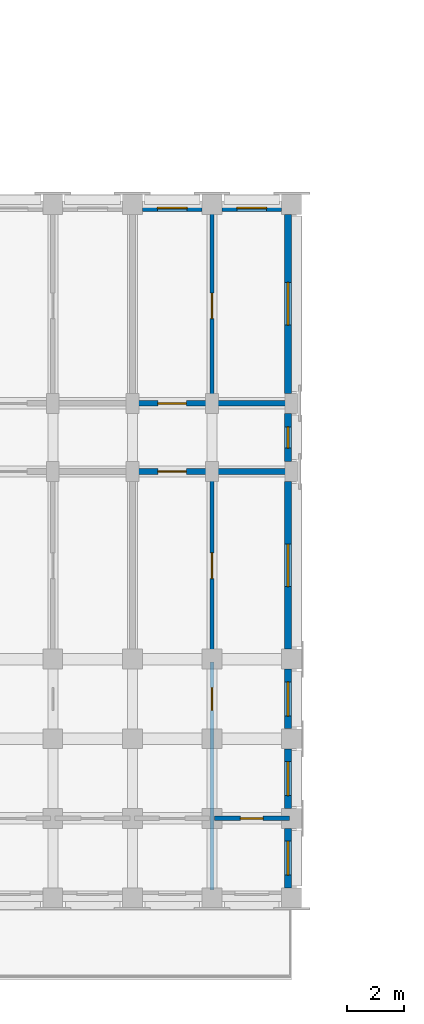
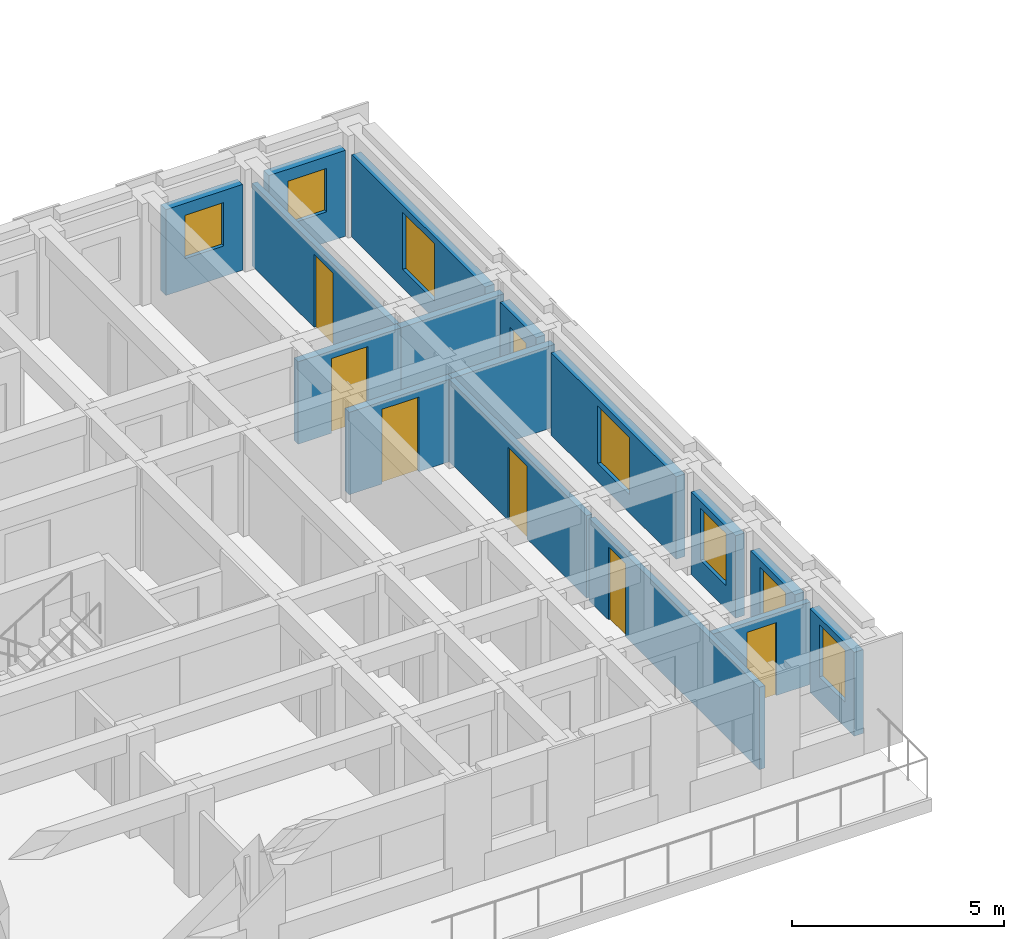
# One storey, part 23 of 57: 16 walls, 8 windows, 6 doors, 14 openings.
"""IFC4 building model written with IfcOpenShell, lengths in metres."""

import ifcopenshell
import ifcopenshell.guid

model = None  # the IFC model being written
_history = None  # IfcOwnerHistory: only IFC2X3 demands one
_inside = {}  # id of a spatial element -> (the spatial element, [elements in it])
_under = {}  # id of a project, library or spatial element -> (it, [spatial elements below it])
_declared = {}  # id of a project -> (the project, [libraries it declares])
_typed = {}  # id of a type object -> (the type object, [elements of that type])
_made_of = {}  # id of a material, layer set ... -> (it, [elements and type objects made of it])


def new_model(schema):
    """Start an empty IFC model of exactly this schema.

    Asked for "IFC4X3", IfcOpenShell would pick the latest addendum, in which some entities
    have other attributes; the version numbers below select the first issue.
    IFC2X3 requires an IfcOwnerHistory on every rooted entity: one is made here for all.
    """
    global model, _history
    if schema == "IFC4X3":
        model = ifcopenshell.file(schema_version=(4, 3, 0, 0))
    else:
        model = ifcopenshell.file(schema=schema)
    _inside.clear()
    _under.clear()
    _declared.clear()
    _typed.clear()
    _made_of.clear()
    _history = None
    if model.schema == "IFC2X3":
        org = make("IfcOrganization", Name="unknown")
        user = make(
            "IfcPersonAndOrganization",
            ThePerson=make("IfcPerson", FamilyName="unknown"),
            TheOrganization=org,
        )
        app = make(
            "IfcApplication",
            ApplicationDeveloper=org,
            Version="unknown",
            ApplicationFullName="unknown",
            ApplicationIdentifier="unknown",
        )
        _history = make(
            "IfcOwnerHistory",
            OwningUser=user,
            OwningApplication=app,
            ChangeAction="ADDED",
            CreationDate=0,
        )
    return model


def make(cls, **values):
    """One entity of the class cls with the attributes given. An attribute that is None is left unset."""
    return model.create_entity(
        cls, **{name: value for name, value in values.items() if value is not None}
    )


def rooted(cls, **values):
    """An entity with a GlobalId (a new one), such as an element, a storey or a relation."""
    return make(cls, GlobalId=ifcopenshell.guid.new(), OwnerHistory=_history, **values)


def si_unit(unit_type, name, prefix=None):
    """IfcSIUnit, for example si_unit("LENGTHUNIT", "METRE", prefix="MILLI")."""
    return make("IfcSIUnit", UnitType=unit_type, Prefix=prefix, Name=name)


def assignment(units):
    """IfcUnitAssignment: the units of a project."""
    return None if units is None else make("IfcUnitAssignment", Units=units)


def point(xyz):
    """IfcCartesianPoint."""
    return None if xyz is None else make("IfcCartesianPoint", Coordinates=xyz)


def direction(xyz):
    """IfcDirection."""
    return None if xyz is None else make("IfcDirection", DirectionRatios=xyz)


def frame(location, z_axis=None, x_axis=None):
    """IfcAxis2Placement3D, a coordinate frame: its origin and axes. An axis left out is left unset."""
    return make(
        "IfcAxis2Placement3D",
        Location=point(location),
        Axis=direction(z_axis),
        RefDirection=direction(x_axis),
    )


def frame_2d(location, x_axis=None):
    """IfcAxis2Placement2D, a coordinate frame in the plane: its origin and x axis."""
    return make(
        "IfcAxis2Placement2D", Location=point(location), RefDirection=direction(x_axis)
    )


def origin():
    """The frame at (0, 0, 0) with its axes left unset."""
    return frame((0.0, 0.0, 0.0))


def place(relative_to, where):
    """IfcLocalPlacement: puts the frame where relative to a parent placement (None: the world)."""
    return make(
        "IfcLocalPlacement", PlacementRelTo=relative_to, RelativePlacement=where
    )


def context(
    kind, dimensions, precision=None, world=None, true_north=None, identifier=None
):
    """IfcGeometricRepresentationContext, for example the 3D "Model" context."""
    return make(
        "IfcGeometricRepresentationContext",
        ContextIdentifier=identifier,
        ContextType=kind,
        CoordinateSpaceDimension=dimensions,
        Precision=precision,
        WorldCoordinateSystem=world,
        TrueNorth=true_north,
    )


def subcontext(parent, identifier, kind, view, scale=None):
    """IfcGeometricRepresentationSubContext, for example "Body" below "Model"."""
    return make(
        "IfcGeometricRepresentationSubContext",
        ContextIdentifier=identifier,
        ContextType=kind,
        ParentContext=parent,
        TargetScale=scale,
        TargetView=view,
    )


def project(units=None, contexts=None):
    """IfcProject with its units and contexts."""
    return rooted(
        "IfcProject",
        Name="project",
        RepresentationContexts=contexts,
        UnitsInContext=assignment(units),
    )


def spatial(cls, under=None, at=None, **own):
    """A site, building, storey or space (cls), placed at a placement, below another one or the project."""
    s = rooted(cls, ObjectPlacement=at, **own)
    if under is not None:
        _under.setdefault(under.id(), (under, []))[1].append(s)
    return s


def profile(cls, at=None, kind="AREA", **sizes):
    """A parametric profile (cls). Its sizes go by their IFC names, for example OverallWidth=200.0."""
    return make(cls, ProfileType=kind, Position=at, **sizes)


def rectangle(**sizes):
    """IfcRectangleProfileDef."""
    return profile("IfcRectangleProfileDef", **sizes)


def extrude(swept, where, along, depth):
    """IfcExtrudedAreaSolid: the profile swept, set in the frame where, extruded along a direction by depth."""
    return make(
        "IfcExtrudedAreaSolid",
        SweptArea=swept,
        Position=where,
        ExtrudedDirection=direction(along),
        Depth=depth,
    )


def shape(context_of_items, identifier, shape_type, items):
    """IfcShapeRepresentation: the items that make up one representation, for example the "Body"."""
    return make(
        "IfcShapeRepresentation",
        ContextOfItems=context_of_items,
        RepresentationIdentifier=identifier,
        RepresentationType=shape_type,
        Items=items,
    )


def material(Name=None, Category=None):
    """IfcMaterial."""
    return make("IfcMaterial", Name=Name, Category=Category)


def layer(
    of_material, thickness, ventilated=None, Name=None, Category=None, Priority=None
):
    """IfcMaterialLayer: one layer of a wall or slab, of a material (None: an air gap)."""
    return make(
        "IfcMaterialLayer",
        Material=of_material,
        LayerThickness=thickness,
        IsVentilated=ventilated,
        Name=Name,
        Category=Category,
        Priority=Priority,
    )


def layer_set(layers, Name=None):
    """IfcMaterialLayerSet."""
    return make("IfcMaterialLayerSet", MaterialLayers=layers, LayerSetName=Name)


def made_of(thing, what):
    """Note that an element or type object is made of a material, layer set ...; save() writes the relation."""
    if what is not None:
        _made_of.setdefault(what.id(), (what, []))[1].append(thing)
    return thing


def type_object(cls, material=None, **own):
    """A type object (cls), such as IfcWallType, which elements share."""
    return made_of(rooted(cls, **own), material)


def element(
    cls,
    number,
    at=None,
    inside=None,
    cuts=None,
    type_object=None,
    material=None,
    context=None,
    identifier="Body",
    shape_type=None,
    held_by="IfcProductDefinitionShape",
    body=None,
    shapes=None,
    **own,
):
    """One element of the class cls, such as IfcWall. Its Tag is "e" and its number.

    at: its placement. inside: the storey or other place that contains it. cuts: it is an
    opening in that element (IfcRelVoidsElement). A single representation is given by context,
    identifier, shape_type and body (its items); several are given by shapes. held_by: the class
    of the entity that holds the representations. save() writes the other relations.
    """
    e = rooted(cls, Tag="e%d" % number, ObjectPlacement=at, **own)
    if body is not None:
        shapes = [shape(context, identifier, shape_type, body)]
    if shapes is not None:
        e.Representation = make(held_by, Representations=shapes)
    if inside is not None:
        _inside.setdefault(inside.id(), (inside, []))[1].append(e)
    if cuts is not None:
        rooted(
            "IfcRelVoidsElement", RelatingBuildingElement=cuts, RelatedOpeningElement=e
        )
    if type_object is not None:
        _typed.setdefault(type_object.id(), (type_object, []))[1].append(e)
    return made_of(e, material)


def fill(opening, filler):
    """IfcRelFillsElement: the door or window that sits in an opening."""
    return rooted(
        "IfcRelFillsElement",
        RelatingOpeningElement=opening,
        RelatedBuildingElement=filler,
    )


def aggregate(whole, parts):
    """IfcRelAggregates: a whole, such as a stair, and the parts it consists of."""
    return rooted("IfcRelAggregates", RelatingObject=whole, RelatedObjects=parts)


def save(model, path):
    """Write the relations noted so far, then the file.

    IfcRelAggregates (storeys below a building ...), IfcRelContainedInSpatialStructure (elements
    in a storey), IfcRelDefinesByType, IfcRelAssociatesMaterial and IfcRelDeclares: one each for
    every whole, place, type object, material and project.
    """
    for whole, parts in _under.values():
        aggregate(whole, parts)
    for where, things in _inside.values():
        rooted(
            "IfcRelContainedInSpatialStructure",
            RelatedElements=things,
            RelatingStructure=where,
        )
    for kind, things in _typed.values():
        rooted("IfcRelDefinesByType", RelatedObjects=things, RelatingType=kind)
    for what, things in _made_of.values():
        rooted("IfcRelAssociatesMaterial", RelatedObjects=things, RelatingMaterial=what)
    for by, libraries in _declared.values():
        rooted("IfcRelDeclares", RelatingContext=by, RelatedDefinitions=libraries)
    model.write(path)


model = new_model("IFC4")

# Units and contexts
model_context = context("Model", 3, precision=1e-05, world=origin(), true_north=direction((0.0, 1.0)))
body_context = subcontext(model_context, "Body", "Model", "MODEL_VIEW")
ifc_project = project(units=[si_unit("LENGTHUNIT", "METRE"), si_unit("AREAUNIT", "SQUARE_METRE"), si_unit("VOLUMEUNIT", "CUBIC_METRE"), si_unit("PLANEANGLEUNIT", "RADIAN"), si_unit("MASSUNIT", "GRAM", prefix="KILO")], contexts=[model_context])

# Site, building, storey
site_placement = place(None, origin())
site = spatial("IfcSite", under=ifc_project, at=site_placement, CompositionType="ELEMENT")
building_placement = place(site_placement, origin())
building = spatial("IfcBuilding", under=site, at=building_placement, Name="Kiranvali Square Residences", CompositionType="ELEMENT")
storey_placement = place(building_placement, frame((0.0, 0.0, 21.300048828125)))
storey = spatial("IfcBuildingStorey", under=building, at=storey_placement, Name="L06", CompositionType="ELEMENT", Elevation=21.300048828125)

# Wall, opening, door
ifc_material_1 = material(Name="Autoclaved aerated concrete blockwork masonry", Category="masonry")
ifc_layer_1 = layer(ifc_material_1, 0.199951171875)
ifc_layer_set_1 = layer_set([ifc_layer_1], Name="Autoclaved aerated concrete blockwork masonry")
wall_type_1 = type_object("IfcWallType", Name="WL-COR-200", PredefinedType="STANDARD", material=ifc_layer_set_1)
wall_1_placement = place(storey_placement, frame((65.0, 22.39990234375, 0.0), z_axis=(0.0, 0.0, 1.0), x_axis=(1.0, 0.0, 0.0)))
wall_1 = element("IfcWall", 1, at=wall_1_placement, inside=storey, type_object=wall_type_1, Name="L06 architectural wall WL-L06-C-A1CI-2", PredefinedType="STANDARD", context=body_context, shape_type="SweptSolid", body=[
    extrude(rectangle(XDim=2.800048828125, YDim=0.199951171875, at=frame_2d((1.39990234375, 0.0))), origin(), (0.0, 0.0, 1.0), 2.3720703125),
])
opening_1_placement = place(wall_1_placement, frame((0.89990234375, 0.0, 0.0)))
opening_1 = element("IfcOpeningElement", 2, at=opening_1_placement, cuts=wall_1, Name="Opening FD-APT-60", PredefinedType="OPENING", context=body_context, shape_type="SweptSolid", body=[
    extrude(rectangle(XDim=1.0, YDim=2.14990234375, at=frame_2d((0.5, 1.074951171875))), frame((0.0, 0.10986328125, 0.0), z_axis=(0.0, -1.0, 0.0), x_axis=(1.0, 0.0, 0.0)), (0.0, 0.0, 1.0), 0.219970703125),
])
ifc_material_2 = material(Name="Fire-rated acoustic hardwood and mineral-core door assembly", Category="wood")
door_type_1 = type_object("IfcDoorType", Name="DR-APT-1000", OperationType="NOTDEFINED", PredefinedType="DOOR", material=ifc_material_2)
door_1_placement = place(opening_1_placement, frame((1.0, 0.0, 0.0), z_axis=(0.0, 0.0, 1.0), x_axis=(-1.0, 0.0, 0.0)))
door_1 = element("IfcDoor", 3, at=door_1_placement, inside=storey, type_object=door_type_1, Name="L06 door DR-L06-2100 (DR-APT-1000)", OperationType="SINGLE_SWING_RIGHT", OverallHeight=2.14990234375, OverallWidth=1.0, PredefinedType="DOOR", context=body_context, shape_type="SweptSolid", body=[
    extrude(rectangle(XDim=1.0, YDim=2.14990234375, at=frame_2d((0.5, 1.074951171875))), frame((0.0, 0.02490234375, 0.0), z_axis=(0.0, -1.0, 0.0), x_axis=(1.0, 0.0, 0.0)), (0.0, 0.0, 1.0), 0.050048828125),
])
fill(opening_1, door_1)

wall_2_placement = place(storey_placement, frame((65.0, 20.0, 0.0), z_axis=(0.0, 0.0, 1.0), x_axis=(1.0, 0.0, 0.0)))
wall_2 = element("IfcWall", 4, at=wall_2_placement, inside=storey, type_object=wall_type_1, Name="L06 architectural wall WL-L06-C-A1CO-2", PredefinedType="STANDARD", context=body_context, shape_type="SweptSolid", body=[
    extrude(rectangle(XDim=2.800048828125, YDim=0.199951171875, at=frame_2d((1.39990234375, 0.0))), origin(), (0.0, 0.0, 1.0), 2.3720703125),
])
opening_2_placement = place(wall_2_placement, frame((0.89990234375, 0.0, 0.0)))
opening_2 = element("IfcOpeningElement", 5, at=opening_2_placement, cuts=wall_2, Name="Opening FD-APT-60", PredefinedType="OPENING", context=body_context, shape_type="SweptSolid", body=[
    extrude(rectangle(XDim=1.0, YDim=2.14990234375, at=frame_2d((0.5, 1.074951171875))), frame((0.0, 0.10986328125, 0.0), z_axis=(0.0, -1.0, 0.0), x_axis=(1.0, 0.0, 0.0)), (0.0, 0.0, 1.0), 0.219970703125),
])
door_2_placement = place(opening_2_placement, frame((1.0, 0.0, 0.0), z_axis=(0.0, 0.0, 1.0), x_axis=(-1.0, 0.0, 0.0)))
door_2 = element("IfcDoor", 6, at=door_2_placement, inside=storey, type_object=door_type_1, Name="L06 door DR-L06-2102 (DR-APT-1000)", OperationType="SINGLE_SWING_RIGHT", OverallHeight=2.14990234375, OverallWidth=1.0, PredefinedType="DOOR", context=body_context, shape_type="SweptSolid", body=[
    extrude(rectangle(XDim=1.0, YDim=2.14990234375, at=frame_2d((0.5, 1.074951171875))), frame((0.0, 0.02490234375, 0.0), z_axis=(0.0, -1.0, 0.0), x_axis=(1.0, 0.0, 0.0)), (0.0, 0.0, 1.0), 0.050048828125),
])
fill(opening_2, door_2)

# Walls
for number, where, z_axis, x_axis, name in (
    (7, (67.800048828125, 22.39990234375, 0.0), (0.0, 0.0, 1.0), (1.0, 0.0, 0.0), "L06 architectural wall WL-L06-C-A1CI-3"),
    (8, (67.800048828125, 20.0, 0.0), (0.0, 0.0, 1.0), (1.0, 0.0, 0.0), "L06 architectural wall WL-L06-C-A1CO-3"),
):
    element("IfcWall", number, at=place(storey_placement, frame(where, z_axis=z_axis, x_axis=x_axis)), inside=storey, type_object=wall_type_1, Name=name, PredefinedType="STANDARD", context=body_context, shape_type="SweptSolid", body=[
        extrude(rectangle(XDim=2.800048828125, YDim=0.199951171875, at=frame_2d((1.39990234375, 0.0))), origin(), (0.0, 0.0, 1.0), 2.3720703125),
    ])

# Wall, opening, window
ifc_material_3 = material(Name="Breathable lime-rendered clay brick masonry", Category="masonry")
ifc_layer_2 = layer(ifc_material_3, 0.25)
ifc_layer_set_2 = layer_set([ifc_layer_2], Name="Breathable lime-rendered clay brick masonry")
wall_type_2 = type_object("IfcWallType", Name="WL-EXT-250", PredefinedType="STANDARD", material=ifc_layer_set_2)
wall_3_placement = place(storey_placement, frame((65.353515625, 29.27490234375, 0.0), z_axis=(0.0, 0.0, 1.0), x_axis=(1.0, 0.0, 0.0)))
wall_3 = element("IfcWall", 9, at=wall_3_placement, inside=storey, type_object=wall_type_2, Name="L06 exterior wall C-L06-A1I-2", PredefinedType="STANDARD", context=body_context, shape_type="SweptSolid", body=[
    extrude(rectangle(XDim=2.093017578125, YDim=0.25, at=frame_2d((1.04638671875, 0.0))), origin(), (0.0, 0.0, 1.0), 2.471923828125),
])
opening_3_placement = place(wall_3_placement, frame((0.521484375, 0.0, 0.8798828125)))
opening_3 = element("IfcOpeningElement", 10, at=opening_3_placement, cuts=wall_3, Name="Opening W-24", PredefinedType="OPENING", context=body_context, shape_type="SweptSolid", body=[
    extrude(rectangle(XDim=1.050048828125, YDim=1.25, at=frame_2d((0.52490234375, 0.625))), frame((0.0, 0.135009765625, 0.0), z_axis=(0.0, -1.0, 0.0), x_axis=(1.0, 0.0, 0.0)), (0.0, 0.0, 1.0), 0.27001953125),
])
ifc_material_4 = material(Name="Solar-control low-e double glazing", Category="glass")
window_type_1 = type_object("IfcWindowType", Name="WIN-COR-1050x1250", PartitioningType="SINGLE_PANEL", PredefinedType="WINDOW", material=ifc_material_4)
window_1_placement = place(opening_3_placement, origin())
window_1 = element("IfcWindow", 11, at=window_1_placement, inside=storey, type_object=window_type_1, Name="L06 recessed window C-L06-A1I-2", OverallHeight=1.25, OverallWidth=1.050048828125, PartitioningType="SINGLE_PANEL", PredefinedType="WINDOW", context=body_context, shape_type="SweptSolid", body=[
    extrude(rectangle(XDim=1.050048828125, YDim=1.25, at=frame_2d((0.52490234375, 0.625))), frame((0.0, 0.030029296875, 0.0), z_axis=(0.0, -1.0, 0.0), x_axis=(1.0, 0.0, 0.0)), (0.0, 0.0, 1.0), 0.06005859375),
])
fill(opening_3, window_1)

wall_4_placement = place(storey_placement, frame((68.153564453125, 29.27490234375, 0.0), z_axis=(0.0, 0.0, 1.0), x_axis=(1.0, 0.0, 0.0)))
wall_4 = element("IfcWall", 12, at=wall_4_placement, inside=storey, type_object=wall_type_2, Name="L06 exterior wall C-L06-A1I-3", PredefinedType="STANDARD", context=body_context, shape_type="SweptSolid", body=[
    extrude(rectangle(XDim=2.093017578125, YDim=0.25, at=frame_2d((1.04638671875, 0.0))), origin(), (0.0, 0.0, 1.0), 2.471923828125),
])
opening_4_placement = place(wall_4_placement, frame((0.521484375, 0.0, 0.8798828125)))
opening_4 = element("IfcOpeningElement", 13, at=opening_4_placement, cuts=wall_4, Name="Opening W-24", PredefinedType="OPENING", context=body_context, shape_type="SweptSolid", body=[
    extrude(rectangle(XDim=1.050048828125, YDim=1.25, at=frame_2d((0.52490234375, 0.625))), frame((0.0, 0.135009765625, 0.0), z_axis=(0.0, -1.0, 0.0), x_axis=(1.0, 0.0, 0.0)), (0.0, 0.0, 1.0), 0.27001953125),
])
window_2_placement = place(opening_4_placement, origin())
window_2 = element("IfcWindow", 14, at=window_2_placement, inside=storey, type_object=window_type_1, Name="L06 recessed window C-L06-A1I-3", OverallHeight=1.25, OverallWidth=1.050048828125, PartitioningType="SINGLE_PANEL", PredefinedType="WINDOW", context=body_context, shape_type="SweptSolid", body=[
    extrude(rectangle(XDim=1.050048828125, YDim=1.25, at=frame_2d((0.52490234375, 0.625))), frame((0.0, 0.030029296875, 0.0), z_axis=(0.0, -1.0, 0.0), x_axis=(1.0, 0.0, 0.0)), (0.0, 0.0, 1.0), 0.06005859375),
])
fill(opening_4, window_2)

wall_5_placement = place(storey_placement, frame((70.47509765625, 29.04638671875, 0.0), z_axis=(0.0, 0.0, 1.0), x_axis=(0.0, -1.0, 0.0)))
wall_5 = element("IfcWall", 15, at=wall_5_placement, inside=storey, type_object=wall_type_2, Name="L06 exterior wall C-L06-A1END-0", PredefinedType="STANDARD", context=body_context, shape_type="SweptSolid", body=[
    extrude(rectangle(XDim=6.29296875, YDim=0.25, at=frame_2d((3.146484375, 0.0))), origin(), (0.0, 0.0, 1.0), 2.3720703125),
])
opening_5_placement = place(wall_5_placement, frame((2.396484375, 0.0, 0.52197265625)))
opening_5 = element("IfcOpeningElement", 16, at=opening_5_placement, cuts=wall_5, Name="Opening W-05", PredefinedType="OPENING", context=body_context, shape_type="SweptSolid", body=[
    extrude(rectangle(XDim=1.5, YDim=1.64990234375, at=frame_2d((0.75, 0.824951171875))), frame((0.0, 0.135009765625, 0.0), z_axis=(0.0, -1.0, 0.0), x_axis=(1.0, 0.0, 0.0)), (0.0, 0.0, 1.0), 0.27001953125),
])
window_type_2 = type_object("IfcWindowType", Name="WIN-RES-1500x1650", PartitioningType="DOUBLE_PANEL_VERTICAL", PredefinedType="WINDOW", material=ifc_material_4)
window_3_placement = place(opening_5_placement, origin())
window_3 = element("IfcWindow", 17, at=window_3_placement, inside=storey, type_object=window_type_2, Name="L06 recessed window C-L06-A1END-0", OverallHeight=1.64990234375, OverallWidth=1.5, PartitioningType="DOUBLE_PANEL_VERTICAL", PredefinedType="WINDOW", context=body_context, shape_type="SweptSolid", body=[
    extrude(rectangle(XDim=1.5, YDim=1.64990234375, at=frame_2d((0.75, 0.824951171875))), frame((0.0, 0.030029296875, 0.0), z_axis=(0.0, -1.0, 0.0), x_axis=(1.0, 0.0, 0.0)), (0.0, 0.0, 1.0), 0.06005859375),
])
fill(opening_5, window_3)

wall_6_placement = place(storey_placement, frame((70.47509765625, 22.04638671875, 0.0), z_axis=(0.0, 0.0, 1.0), x_axis=(0.0, -1.0, 0.0)))
wall_6 = element("IfcWall", 18, at=wall_6_placement, inside=storey, type_object=wall_type_2, Name="L06 exterior wall C-L06-A1END-1", PredefinedType="STANDARD", context=body_context, shape_type="SweptSolid", body=[
    extrude(rectangle(XDim=1.69287109375, YDim=0.25, at=frame_2d((0.846435546875, 0.0))), origin(), (0.0, 0.0, 1.0), 2.3720703125),
])
opening_6_placement = place(wall_6_placement, frame((0.471435546875, 0.0, 0.8798828125)))
opening_6 = element("IfcOpeningElement", 19, at=opening_6_placement, cuts=wall_6, Name="Opening W-07", PredefinedType="OPENING", context=body_context, shape_type="SweptSolid", body=[
    extrude(rectangle(XDim=0.75, YDim=1.050048828125, at=frame_2d((0.375, 0.52490234375))), frame((0.0, 0.135009765625, 0.0), z_axis=(0.0, -1.0, 0.0), x_axis=(1.0, 0.0, 0.0)), (0.0, 0.0, 1.0), 0.27001953125),
])
window_type_3 = type_object("IfcWindowType", Name="WIN-WET-750x1050", PartitioningType="SINGLE_PANEL", PredefinedType="WINDOW", material=ifc_material_4)
window_4_placement = place(opening_6_placement, origin())
window_4 = element("IfcWindow", 20, at=window_4_placement, inside=storey, type_object=window_type_3, Name="L06 recessed window C-L06-A1END-1", OverallHeight=1.050048828125, OverallWidth=0.75, PartitioningType="SINGLE_PANEL", PredefinedType="WINDOW", context=body_context, shape_type="SweptSolid", body=[
    extrude(rectangle(XDim=0.75, YDim=1.050048828125, at=frame_2d((0.375, 0.52490234375))), frame((0.0, 0.030029296875, 0.0), z_axis=(0.0, -1.0, 0.0), x_axis=(1.0, 0.0, 0.0)), (0.0, 0.0, 1.0), 0.06005859375),
])
fill(opening_6, window_4)

wall_7_placement = place(storey_placement, frame((70.47509765625, 19.646484375, 0.0), z_axis=(0.0, 0.0, 1.0), x_axis=(0.0, -1.0, 0.0)))
wall_7 = element("IfcWall", 21, at=wall_7_placement, inside=storey, type_object=wall_type_2, Name="L06 exterior wall C-L06-A1END-2", PredefinedType="STANDARD", context=body_context, shape_type="SweptSolid", body=[
    extrude(rectangle(XDim=5.89306640625, YDim=0.25, at=frame_2d((2.946533203125, 0.0))), origin(), (0.0, 0.0, 1.0), 2.3720703125),
])
opening_7_placement = place(wall_7_placement, frame((2.196533203125, 0.0, 0.52197265625)))
opening_7 = element("IfcOpeningElement", 22, at=opening_7_placement, cuts=wall_7, Name="Opening W-05", PredefinedType="OPENING", context=body_context, shape_type="SweptSolid", body=[
    extrude(rectangle(XDim=1.5, YDim=1.64990234375, at=frame_2d((0.75, 0.824951171875))), frame((0.0, 0.135009765625, 0.0), z_axis=(0.0, -1.0, 0.0), x_axis=(1.0, 0.0, 0.0)), (0.0, 0.0, 1.0), 0.27001953125),
])
window_5_placement = place(opening_7_placement, origin())
window_5 = element("IfcWindow", 23, at=window_5_placement, inside=storey, type_object=window_type_2, Name="L06 recessed window C-L06-A1END-2", OverallHeight=1.64990234375, OverallWidth=1.5, PartitioningType="DOUBLE_PANEL_VERTICAL", PredefinedType="WINDOW", context=body_context, shape_type="SweptSolid", body=[
    extrude(rectangle(XDim=1.5, YDim=1.64990234375, at=frame_2d((0.75, 0.824951171875))), frame((0.0, 0.030029296875, 0.0), z_axis=(0.0, -1.0, 0.0), x_axis=(1.0, 0.0, 0.0)), (0.0, 0.0, 1.0), 0.06005859375),
])
fill(opening_7, window_5)

wall_8_placement = place(storey_placement, frame((70.47509765625, 13.04638671875, 0.0), z_axis=(0.0, 0.0, 1.0), x_axis=(0.0, -1.0, 0.0)))
wall_8 = element("IfcWall", 24, at=wall_8_placement, inside=storey, type_object=wall_type_2, Name="L06 exterior wall C-L06-A1END-3", PredefinedType="STANDARD", context=body_context, shape_type="SweptSolid", body=[
    extrude(rectangle(XDim=2.0927734375, YDim=0.25, at=frame_2d((1.04638671875, 0.0))), origin(), (0.0, 0.0, 1.0), 2.3720703125),
])
opening_8_placement = place(wall_8_placement, frame((0.446533203125, 0.0, 0.672119140625)))
opening_8 = element("IfcOpeningElement", 25, at=opening_8_placement, cuts=wall_8, Name="Opening W-06", PredefinedType="OPENING", context=body_context, shape_type="SweptSolid", body=[
    extrude(rectangle(XDim=1.199951171875, YDim=1.5, at=frame_2d((0.60009765625, 0.75))), frame((0.0, 0.135009765625, 0.0), z_axis=(0.0, -1.0, 0.0), x_axis=(1.0, 0.0, 0.0)), (0.0, 0.0, 1.0), 0.27001953125),
])
window_type_4 = type_object("IfcWindowType", Name="WIN-RES-1200x1500", PartitioningType="SINGLE_PANEL", PredefinedType="WINDOW", material=ifc_material_4)
window_6_placement = place(opening_8_placement, origin())
window_6 = element("IfcWindow", 26, at=window_6_placement, inside=storey, type_object=window_type_4, Name="L06 recessed window C-L06-A1END-3", OverallHeight=1.5, OverallWidth=1.199951171875, PartitioningType="SINGLE_PANEL", PredefinedType="WINDOW", context=body_context, shape_type="SweptSolid", body=[
    extrude(rectangle(XDim=1.199951171875, YDim=1.5, at=frame_2d((0.60009765625, 0.75))), frame((0.0, 0.030029296875, 0.0), z_axis=(0.0, -1.0, 0.0), x_axis=(1.0, 0.0, 0.0)), (0.0, 0.0, 1.0), 0.06005859375),
])
fill(opening_8, window_6)

wall_9_placement = place(storey_placement, frame((70.47509765625, 10.24658203125, 0.0), z_axis=(0.0, 0.0, 1.0), x_axis=(0.0, -1.0, 0.0)))
wall_9 = element("IfcWall", 27, at=wall_9_placement, inside=storey, type_object=wall_type_2, Name="L06 exterior wall C-L06-A1END-4", PredefinedType="STANDARD", context=body_context, shape_type="SweptSolid", body=[
    extrude(rectangle(XDim=2.093017578125, YDim=0.25, at=frame_2d((1.04638671875, 0.0))), origin(), (0.0, 0.0, 1.0), 2.3720703125),
])
opening_9_placement = place(wall_9_placement, frame((0.446533203125, 0.0, 0.672119140625)))
opening_9 = element("IfcOpeningElement", 28, at=opening_9_placement, cuts=wall_9, Name="Opening W-06", PredefinedType="OPENING", context=body_context, shape_type="SweptSolid", body=[
    extrude(rectangle(XDim=1.199951171875, YDim=1.5, at=frame_2d((0.60009765625, 0.75))), frame((0.0, 0.135009765625, 0.0), z_axis=(0.0, -1.0, 0.0), x_axis=(1.0, 0.0, 0.0)), (0.0, 0.0, 1.0), 0.27001953125),
])
window_7_placement = place(opening_9_placement, origin())
window_7 = element("IfcWindow", 29, at=window_7_placement, inside=storey, type_object=window_type_4, Name="L06 recessed window C-L06-A1END-4", OverallHeight=1.5, OverallWidth=1.199951171875, PartitioningType="SINGLE_PANEL", PredefinedType="WINDOW", context=body_context, shape_type="SweptSolid", body=[
    extrude(rectangle(XDim=1.199951171875, YDim=1.5, at=frame_2d((0.60009765625, 0.75))), frame((0.0, 0.030029296875, 0.0), z_axis=(0.0, -1.0, 0.0), x_axis=(1.0, 0.0, 0.0)), (0.0, 0.0, 1.0), 0.06005859375),
])
fill(opening_9, window_7)

wall_10_placement = place(storey_placement, frame((70.47509765625, 7.446533203125, 0.0), z_axis=(0.0, 0.0, 1.0), x_axis=(0.0, -1.0, 0.0)))
wall_10 = element("IfcWall", 30, at=wall_10_placement, inside=storey, type_object=wall_type_2, Name="L06 exterior wall C-L06-A1END-5", PredefinedType="STANDARD", context=body_context, shape_type="SweptSolid", body=[
    extrude(rectangle(XDim=2.093017578125, YDim=0.25, at=frame_2d((1.04638671875, 0.0))), origin(), (0.0, 0.0, 1.0), 2.411865234375),
])
opening_10_placement = place(wall_10_placement, frame((0.446533203125, 0.0, 0.7119140625)))
opening_10 = element("IfcOpeningElement", 31, at=opening_10_placement, cuts=wall_10, Name="Opening W-06", PredefinedType="OPENING", context=body_context, shape_type="SweptSolid", body=[
    extrude(rectangle(XDim=1.199951171875, YDim=1.5, at=frame_2d((0.60009765625, 0.75))), frame((0.0, 0.135009765625, 0.0), z_axis=(0.0, -1.0, 0.0), x_axis=(1.0, 0.0, 0.0)), (0.0, 0.0, 1.0), 0.27001953125),
])
window_8_placement = place(opening_10_placement, origin())
window_8 = element("IfcWindow", 32, at=window_8_placement, inside=storey, type_object=window_type_4, Name="L06 recessed window C-L06-A1END-5", OverallHeight=1.5, OverallWidth=1.199951171875, PartitioningType="SINGLE_PANEL", PredefinedType="WINDOW", context=body_context, shape_type="SweptSolid", body=[
    extrude(rectangle(XDim=1.199951171875, YDim=1.5, at=frame_2d((0.60009765625, 0.75))), frame((0.0, 0.030029296875, 0.0), z_axis=(0.0, -1.0, 0.0), x_axis=(1.0, 0.0, 0.0)), (0.0, 0.0, 1.0), 0.06005859375),
])
fill(opening_10, window_8)

# Wall, opening, door
ifc_material_5 = material(Name="Acoustic gypsum board drylined partition", Category="gypsum")
ifc_layer_3 = layer(ifc_material_5, 0.14990234375)
ifc_layer_set_3 = layer_set([ifc_layer_3], Name="Acoustic gypsum board drylined partition")
wall_type_3 = type_object("IfcWallType", Name="WL-PRT-150", PredefinedType="PARTITIONING", material=ifc_layer_set_3)
wall_11_placement = place(storey_placement, frame((67.800048828125, 29.199951171875, 0.0), z_axis=(0.0, 0.0, 1.0), x_axis=(0.0, -1.0, 0.0)))
wall_11 = element("IfcWall", 33, at=wall_11_placement, inside=storey, type_object=wall_type_3, Name="L06 architectural wall WL-L06-C-A1TI-3", PredefinedType="PARTITIONING", context=body_context, shape_type="SweptSolid", body=[
    extrude(rectangle(XDim=6.75, YDim=0.14990234375, at=frame_2d((3.375, 0.0))), origin(), (0.0, 0.0, 1.0), 2.3720703125),
])
opening_11_placement = place(wall_11_placement, frame((2.925048828125, 0.0, 0.0)))
opening_11 = element("IfcOpeningElement", 34, at=opening_11_placement, cuts=wall_11, Name="Opening ID-1", PredefinedType="OPENING", context=body_context, shape_type="SweptSolid", body=[
    extrude(rectangle(XDim=0.89990234375, YDim=2.10009765625, at=frame_2d((0.449951171875, 1.050048828125))), frame((0.0, 0.0849609375, 0.0), z_axis=(0.0, -1.0, 0.0), x_axis=(1.0, 0.0, 0.0)), (0.0, 0.0, 1.0), 0.169921875),
])
ifc_material_6 = material(Name="Solid seasoned teak hardwood joinery", Category="wood")
door_type_2 = type_object("IfcDoorType", Name="DR-INT-900", OperationType="NOTDEFINED", PredefinedType="DOOR", material=ifc_material_6)
door_3_placement = place(opening_11_placement, frame((0.89990234375, 0.0, 0.0), z_axis=(0.0, 0.0, 1.0), x_axis=(-1.0, 0.0, 0.0)))
door_3 = element("IfcDoor", 35, at=door_3_placement, inside=storey, type_object=door_type_2, Name="L06 door DR-L06-2108 (DR-INT-900)", OperationType="SINGLE_SWING_RIGHT", OverallHeight=2.10009765625, OverallWidth=0.89990234375, PredefinedType="DOOR", context=body_context, shape_type="SweptSolid", body=[
    extrude(rectangle(XDim=0.89990234375, YDim=2.10009765625, at=frame_2d((0.449951171875, 1.050048828125))), frame((0.0, 0.02490234375, 0.0), z_axis=(0.0, -1.0, 0.0), x_axis=(1.0, 0.0, 0.0)), (0.0, 0.0, 1.0), 0.050048828125),
])
fill(opening_11, door_3)

wall_12_placement = place(storey_placement, frame((67.800048828125, 19.949951171875, 0.0), z_axis=(0.0, 0.0, 1.0), x_axis=(0.0, -1.0, 0.0)))
wall_12 = element("IfcWall", 36, at=wall_12_placement, inside=storey, type_object=wall_type_3, Name="L06 architectural wall WL-L06-C-A1TO1-3", PredefinedType="PARTITIONING", context=body_context, shape_type="SweptSolid", body=[
    extrude(rectangle(XDim=6.530029296875, YDim=0.14990234375, at=frame_2d((3.26513671875, 0.0))), origin(), (0.0, 0.0, 1.0), 2.3720703125),
])
opening_12_placement = place(wall_12_placement, frame((2.81494140625, 0.0, 0.0)))
opening_12 = element("IfcOpeningElement", 37, at=opening_12_placement, cuts=wall_12, Name="Opening ID-1", PredefinedType="OPENING", context=body_context, shape_type="SweptSolid", body=[
    extrude(rectangle(XDim=0.89990234375, YDim=2.10009765625, at=frame_2d((0.449951171875, 1.050048828125))), frame((0.0, 0.0849609375, 0.0), z_axis=(0.0, -1.0, 0.0), x_axis=(1.0, 0.0, 0.0)), (0.0, 0.0, 1.0), 0.169921875),
])
door_4_placement = place(opening_12_placement, origin())
door_4 = element("IfcDoor", 38, at=door_4_placement, inside=storey, type_object=door_type_2, Name="L06 door DR-L06-2109 (DR-INT-900)", OperationType="SINGLE_SWING_LEFT", OverallHeight=2.10009765625, OverallWidth=0.89990234375, PredefinedType="DOOR", context=body_context, shape_type="SweptSolid", body=[
    extrude(rectangle(XDim=0.89990234375, YDim=2.10009765625, at=frame_2d((0.449951171875, 1.050048828125))), frame((0.0, 0.02490234375, 0.0), z_axis=(0.0, -1.0, 0.0), x_axis=(1.0, 0.0, 0.0)), (0.0, 0.0, 1.0), 0.050048828125),
])
fill(opening_12, door_4)

wall_13_placement = place(storey_placement, frame((67.800048828125, 13.300048828125, 0.0), z_axis=(0.0, 0.0, 1.0), x_axis=(0.0, -1.0, 0.0)))
wall_13 = element("IfcWall", 39, at=wall_13_placement, inside=storey, type_object=wall_type_3, Name="L06 architectural wall WL-L06-C-A1TO2-3", PredefinedType="PARTITIONING", context=body_context, shape_type="SweptSolid", body=[
    extrude(rectangle(XDim=8.02001953125, YDim=0.14990234375, at=frame_2d((4.010009765625, 0.0))), origin(), (0.0, 0.0, 1.0), 2.3720703125),
])
opening_13_placement = place(wall_13_placement, frame((0.900146484375, 0.0, 0.0)))
opening_13 = element("IfcOpeningElement", 40, at=opening_13_placement, cuts=wall_13, Name="Opening ID-WET", PredefinedType="OPENING", context=body_context, shape_type="SweptSolid", body=[
    extrude(rectangle(XDim=0.800048828125, YDim=2.10009765625, at=frame_2d((0.39990234375, 1.050048828125))), frame((0.0, 0.0849609375, 0.0), z_axis=(0.0, -1.0, 0.0), x_axis=(1.0, 0.0, 0.0)), (0.0, 0.0, 1.0), 0.169921875),
])
door_type_3 = type_object("IfcDoorType", Name="DR-WET-800", OperationType="NOTDEFINED", PredefinedType="DOOR", material=ifc_material_6)
door_5_placement = place(opening_13_placement, frame((0.800048828125, 0.0, 0.0), z_axis=(0.0, 0.0, 1.0), x_axis=(-1.0, 0.0, 0.0)))
door_5 = element("IfcDoor", 41, at=door_5_placement, inside=storey, type_object=door_type_3, Name="L06 door DR-L06-2110 (DR-WET-800)", OperationType="SINGLE_SWING_RIGHT", OverallHeight=2.10009765625, OverallWidth=0.800048828125, PredefinedType="DOOR", context=body_context, shape_type="SweptSolid", body=[
    extrude(rectangle(XDim=0.800048828125, YDim=2.10009765625, at=frame_2d((0.39990234375, 1.050048828125))), frame((0.0, 0.02490234375, 0.0), z_axis=(0.0, -1.0, 0.0), x_axis=(1.0, 0.0, 0.0)), (0.0, 0.0, 1.0), 0.050048828125),
])
fill(opening_13, door_5)

ifc_layer_4 = layer(ifc_material_1, 0.159912109375)
ifc_layer_set_4 = layer_set([ifc_layer_4], Name="Autoclaved aerated concrete blockwork masonry")
wall_type_4 = type_object("IfcWallType", Name="WL-WET-160", PredefinedType="PLUMBINGWALL", material=ifc_layer_set_4)
wall_14_placement = place(storey_placement, frame((67.8798828125, 7.800048828125, 0.0), z_axis=(0.0, 0.0, 1.0), x_axis=(1.0, 0.0, 0.0)))
wall_14 = element("IfcWall", 42, at=wall_14_placement, inside=storey, type_object=wall_type_4, Name="L06 architectural wall WL-L06-C-A1SP-3", PredefinedType="PLUMBINGWALL", context=body_context, shape_type="SweptSolid", body=[
    extrude(rectangle(XDim=2.64013671875, YDim=0.159912109375, at=frame_2d((1.320068359375, 0.0))), origin(), (0.0, 0.0, 1.0), 2.3720703125),
])
opening_14_placement = place(wall_14_placement, frame((0.919921875, 0.0, 0.0)))
opening_14 = element("IfcOpeningElement", 43, at=opening_14_placement, cuts=wall_14, Name="Opening ID-WET", PredefinedType="OPENING", context=body_context, shape_type="SweptSolid", body=[
    extrude(rectangle(XDim=0.800048828125, YDim=2.10009765625, at=frame_2d((0.39990234375, 1.050048828125))), frame((0.0, 0.08984375, 0.0), z_axis=(0.0, -1.0, 0.0), x_axis=(1.0, 0.0, 0.0)), (0.0, 0.0, 1.0), 0.179931640625),
])
door_6_placement = place(opening_14_placement, origin())
door_6 = element("IfcDoor", 44, at=door_6_placement, inside=storey, type_object=door_type_3, Name="L06 door DR-L06-2103 (DR-WET-800)", OperationType="SINGLE_SWING_LEFT", OverallHeight=2.10009765625, OverallWidth=0.800048828125, PredefinedType="DOOR", context=body_context, shape_type="SweptSolid", body=[
    extrude(rectangle(XDim=0.800048828125, YDim=2.10009765625, at=frame_2d((0.39990234375, 1.050048828125))), frame((0.0, 0.02490234375, 0.0), z_axis=(0.0, -1.0, 0.0), x_axis=(1.0, 0.0, 0.0)), (0.0, 0.0, 1.0), 0.050048828125),
])
fill(opening_14, door_6)

save(model, "model.ifc")
